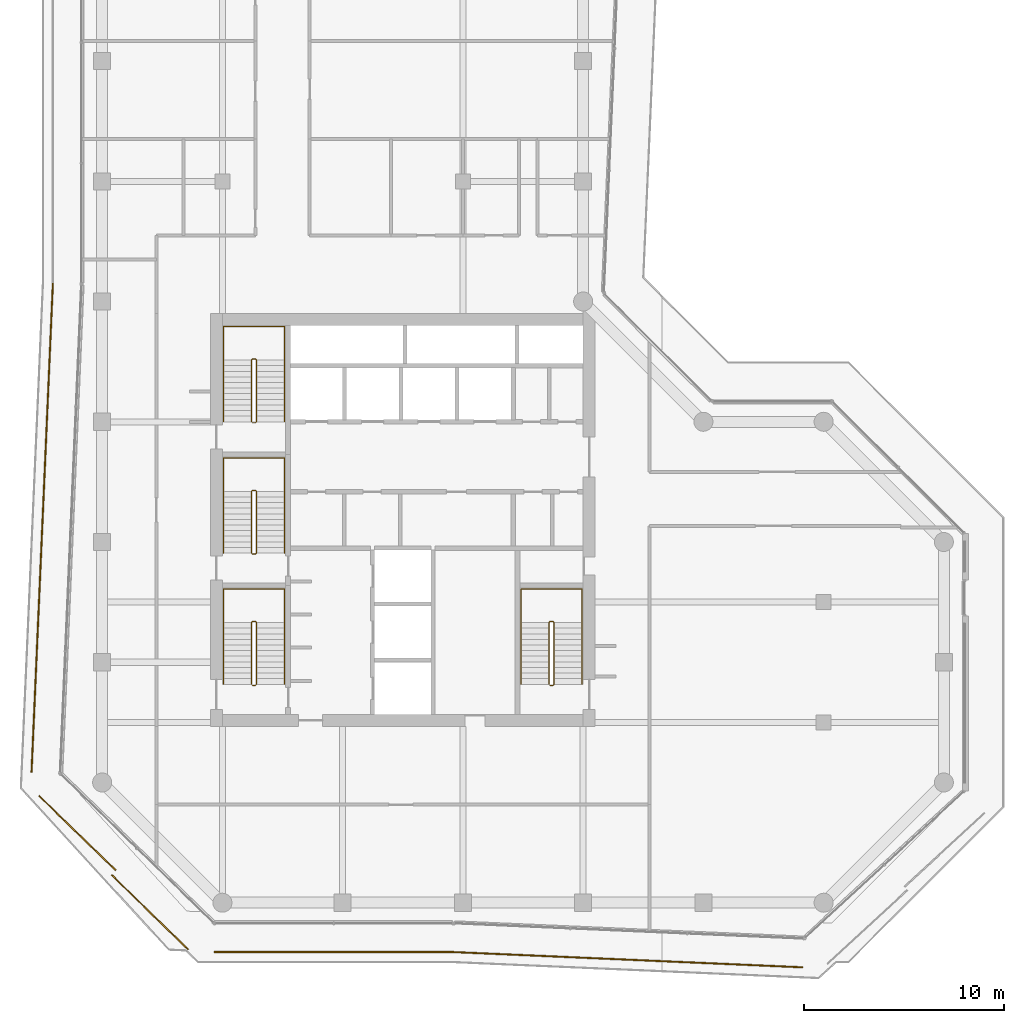
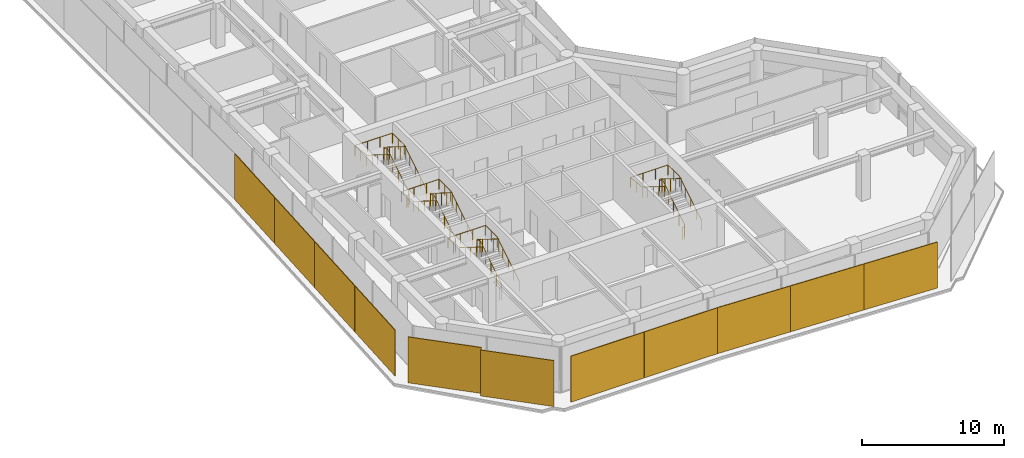
# One storey, part 20 of 21: 11 coverings, 8 railings.
"""IFC4 building model written with IfcOpenShell, lengths in metres."""

from ifc_helpers import new_model, si_unit, direction, frame, origin, origin_2d, place, context, subcontext, project, spatial, rectangle, circle, extrude, material, layer, layer_set, type_object, element, save


model = new_model("IFC4")

# Units and contexts
model_context = context("Model", 3, precision=1e-05, world=origin(), true_north=direction((0.0, 1.0)))
body_context = subcontext(model_context, "Body", "Model", "MODEL_VIEW")
ifc_project = project(units=[si_unit("LENGTHUNIT", "METRE"), si_unit("AREAUNIT", "SQUARE_METRE"), si_unit("VOLUMEUNIT", "CUBIC_METRE"), si_unit("PLANEANGLEUNIT", "RADIAN"), si_unit("MASSUNIT", "GRAM", prefix="KILO")], contexts=[model_context])

# Site, building, storey
site_placement = place(None, origin())
site = spatial("IfcSite", under=ifc_project, at=site_placement, CompositionType="ELEMENT")
building_placement = place(site_placement, origin())
building = spatial("IfcBuilding", under=site, at=building_placement, Name="Welwitschia Terrace Campus", CompositionType="ELEMENT")
storey_placement = place(building_placement, frame((0.0, 0.0, 159.199951171875)))
storey = spatial("IfcBuildingStorey", under=building, at=storey_placement, Name="L35", CompositionType="ELEMENT", Elevation=159.199951171875)

# Coverings
ifc_material_1 = material(Name="Bronze mesh aluminium screen", Category="aluminium")
ifc_layer = layer(ifc_material_1, 0.06005859375)
ifc_layer_set = layer_set([ifc_layer], Name="Bronze mesh aluminium screen")
covering_type = type_object("IfcCoveringType", Name="Bronze screen 60", PredefinedType="USERDEFINED", material=ifc_layer_set)
for number, where, z_axis, x_axis, name in (
    (1, (-2.592041015625, 23.87744140625, 0.0), (0.0, 0.0, 1.0), (-0.043619387365, -0.999048221582, 0.0), "Screen L35.0.0"),
    (2, (-2.858642578125, 17.769287109375, 0.0), (0.0, 0.0, 1.0), (-0.043619387365, -0.999048221582, 0.0), "Screen L35.0.1"),
    (3, (-3.12548828125, 11.6611328125, 0.0), (0.0, 0.0, 1.0), (-0.043619387365, -0.999048221582, 0.0), "Screen L35.0.2"),
    (4, (-3.39208984375, 5.552978515625, 0.0), (0.0, 0.0, 1.0), (-0.043619387365, -0.999048221582, 0.0), "Screen L35.0.3"),
):
    element("IfcCovering", number, at=place(storey_placement, frame(where, z_axis=z_axis, x_axis=x_axis)), inside=storey, type_object=covering_type, Name=name, ObjectType="SCREEN", PredefinedType="USERDEFINED", context=body_context, shape_type="SweptSolid", body=[
        extrude(rectangle(XDim=6.093994140625, YDim=0.06005859375, at=origin_2d()), origin(), (0.0, 0.0, 1.0), 3.949951171875),
    ])
for number, where, z_axis, x_axis, name in (
    (5, (-1.2412109375, -0.521240234375, 0.0), (0.0, 0.0, 1.0), (0.716555959445, -0.697529610112, 0.0), "Screen L35.1.0"),
    (6, (2.380615234375, -4.473388671875, 0.0), (0.0, 0.0, 1.0), (0.716555959445, -0.697529610112, 0.0), "Screen L35.1.1"),
):
    element("IfcCovering", number, at=place(storey_placement, frame(where, z_axis=z_axis, x_axis=x_axis)), inside=storey, type_object=covering_type, Name=name, ObjectType="SCREEN", PredefinedType="USERDEFINED", context=body_context, shape_type="SweptSolid", body=[
        extrude(rectangle(XDim=5.33203125, YDim=0.06005859375, at=origin_2d()), origin(), (0.0, 0.0, 1.0), 3.949951171875),
    ])
for number, where, z_axis, x_axis, name in (
    (7, (8.561767578125, -6.4599609375, 0.0), (0.0, 0.0, 1.0), (1.0, 0.0, 0.0), "Screen L35.2.0"),
    (8, (14.538818359375, -6.4599609375, 0.0), (0.0, 0.0, 1.0), (1.0, 0.0, 0.0), "Screen L35.2.1"),
):
    element("IfcCovering", number, at=place(storey_placement, frame(where, z_axis=z_axis, x_axis=x_axis)), inside=storey, type_object=covering_type, Name=name, ObjectType="SCREEN", PredefinedType="USERDEFINED", context=body_context, shape_type="SweptSolid", body=[
        extrude(rectangle(XDim=5.956787109375, YDim=0.06005859375, at=origin_2d()), origin(), (0.0, 0.0, 1.0), 3.949951171875),
    ])
for number, where, z_axis, x_axis, name in (
    (9, (20.383056640625, -6.5859375, 0.0), (0.0, 0.0, 1.0), (0.999048221582, -0.043619387365, 0.0), "Screen L35.3.0"),
    (10, (26.21923828125, -6.8408203125, 0.0), (0.0, 0.0, 1.0), (0.999048221582, -0.043619387365, 0.0), "Screen L35.3.1"),
    (11, (32.0556640625, -7.095703125, 0.0), (0.0, 0.0, 1.0), (0.999048221582, -0.043619387365, 0.0), "Screen L35.3.2"),
):
    element("IfcCovering", number, at=place(storey_placement, frame(where, z_axis=z_axis, x_axis=x_axis)), inside=storey, type_object=covering_type, Name=name, ObjectType="SCREEN", PredefinedType="USERDEFINED", context=body_context, shape_type="SweptSolid", body=[
        extrude(rectangle(XDim=5.822021484375, YDim=0.06005859375, at=origin_2d()), origin(), (0.0, 0.0, 1.0), 3.949951171875),
    ])

# Railings
ifc_material_2 = material(Name="Steel S355", Category="steel")
railing_type_1 = type_object("IfcRailingType", Name="Stair guard 1100", PredefinedType="GUARDRAIL", material=ifc_material_2)
railing_1_placement = place(storey_placement, frame((7.5, 6.85009765625, 0.0)))
element("IfcRailing", 12, at=railing_1_placement, inside=storey, type_object=railing_type_1, Name="L35 S1 stair guard", PredefinedType="GUARDRAIL", context=body_context, shape_type="SweptSolid", body=[
    extrude(circle(Radius=0.02392578125, at=origin_2d()), frame((0.0, 0.0, 1.076171875), z_axis=(1.0, 0.0, 0.0), x_axis=(0.0, 1.0, 0.0)), (0.0, 0.0, 1.0), 0.14990234375),
    extrude(circle(Radius=0.02392578125, at=origin_2d()), frame((0.14990234375, 0.0, 1.076171875), z_axis=(0.265155923931, 0.263862480399, 0.927399011991), x_axis=(-0.705375805398, 0.708833529934, 0.0)), (0.0, 0.0, 1.0), 0.188720703125),
    extrude(circle(Radius=0.02392578125, at=origin_2d()), frame((0.199951171875, 0.0498046875, 1.2509765625), z_axis=(0.0, 0.847998304005, 0.529998940003), x_axis=(-1.0, 0.0, 0.0)), (0.0, 0.0, 1.0), 3.632080078125),
    extrude(circle(Radius=0.02392578125, at=origin_2d()), frame((0.199951171875, 3.1298828125, 3.17626953125), z_axis=(-0.707106781187, 0.707106781187, 0.0), x_axis=(-0.707106781187, -0.707106781187, 0.0)), (0.0, 0.0, 1.0), 0.07080078125),
    extrude(circle(Radius=0.02392578125, at=origin_2d()), frame((0.14990234375, 3.179931640625, 3.17626953125), z_axis=(-1.0, 0.0, 0.0), x_axis=(0.0, -1.0, 0.0)), (0.0, 0.0, 1.0), 0.14990234375),
    extrude(circle(Radius=0.02392578125, at=origin_2d()), frame((0.0, 3.179931640625, 3.17626953125), z_axis=(-0.265065253269, -0.265065253269, 0.927081885822), x_axis=(0.707106781187, -0.707106781187, 0.0)), (0.0, 0.0, 1.0), 0.188720703125),
    extrude(circle(Radius=0.02392578125, at=origin_2d()), frame((-0.050048828125, 3.1298828125, 3.35107421875), z_axis=(0.0, -0.848028513186, 0.529950602248), x_axis=(1.0, 0.0, 0.0)), (0.0, 0.0, 1.0), 3.632080078125),
    extrude(circle(Radius=0.02099609375, at=origin_2d()), origin(), (0.0, 0.0, 1.0), 1.052001953125),
    extrude(circle(Radius=0.02099609375, at=origin_2d()), frame((0.14990234375, 0.0, 0.0)), (0.0, 0.0, 1.0), 1.052001953125),
    extrude(circle(Radius=0.02099609375, at=origin_2d()), frame((0.199951171875, 0.0498046875, 0.175048828125)), (0.0, 0.0, 1.0), 1.052001953125),
    extrude(circle(Radius=0.02099609375, at=origin_2d()), frame((0.199951171875, 0.81982421875, 0.65625)), (0.0, 0.0, 1.0), 1.052001953125),
    extrude(circle(Radius=0.02099609375, at=origin_2d()), frame((0.199951171875, 1.58984375, 1.1376953125)), (0.0, 0.0, 1.0), 1.052001953125),
    extrude(circle(Radius=0.02099609375, at=origin_2d()), frame((0.199951171875, 2.35986328125, 1.618896484375)), (0.0, 0.0, 1.0), 1.052001953125),
    extrude(circle(Radius=0.02099609375, at=origin_2d()), frame((0.199951171875, 3.1298828125, 2.10009765625)), (0.0, 0.0, 1.0), 1.052001953125),
    extrude(circle(Radius=0.02099609375, at=origin_2d()), frame((0.14990234375, 3.179931640625, 2.10009765625)), (0.0, 0.0, 1.0), 1.052001953125),
    extrude(circle(Radius=0.02099609375, at=origin_2d()), frame((0.0, 3.179931640625, 2.10009765625)), (0.0, 0.0, 1.0), 1.052001953125),
    extrude(circle(Radius=0.02099609375, at=origin_2d()), frame((-0.050048828125, 3.1298828125, 2.275146484375)), (0.0, 0.0, 1.0), 1.052001953125),
    extrude(circle(Radius=0.02099609375, at=origin_2d()), frame((-0.050048828125, 2.35986328125, 2.75634765625)), (0.0, 0.0, 1.0), 1.052001953125),
    extrude(circle(Radius=0.02099609375, at=origin_2d()), frame((-0.050048828125, 1.58984375, 3.237548828125)), (0.0, 0.0, 1.0), 1.052001953125),
    extrude(circle(Radius=0.02099609375, at=origin_2d()), frame((-0.050048828125, 0.81982421875, 3.71875)), (0.0, 0.0, 1.0), 1.052001953125),
    extrude(circle(Radius=0.02099609375, at=origin_2d()), frame((-0.050048828125, 0.0498046875, 4.199951171875)), (0.0, 0.0, 1.0), 1.052001953125),
])
railing_2_placement = place(storey_placement, frame((7.5, 13.39990234375, 0.0)))
element("IfcRailing", 13, at=railing_2_placement, inside=storey, type_object=railing_type_1, Name="L35 S3 stair guard", PredefinedType="GUARDRAIL", context=body_context, shape_type="SweptSolid", body=[
    extrude(circle(Radius=0.02392578125, at=origin_2d()), frame((0.0, 0.0, 1.076171875), z_axis=(1.0, 0.0, 0.0), x_axis=(0.0, 1.0, 0.0)), (0.0, 0.0, 1.0), 0.14990234375),
    extrude(circle(Radius=0.02392578125, at=origin_2d()), frame((0.14990234375, 0.0, 1.076171875), z_axis=(0.265065253269, 0.265065253269, 0.927081885822), x_axis=(-0.707106781187, 0.707106781187, 0.0)), (0.0, 0.0, 1.0), 0.188720703125),
    extrude(circle(Radius=0.02392578125, at=origin_2d()), frame((0.199951171875, 0.050048828125, 1.2509765625), z_axis=(0.0, 0.847998304005, 0.529998940003), x_axis=(-1.0, 0.0, 0.0)), (0.0, 0.0, 1.0), 3.632080078125),
    extrude(circle(Radius=0.02392578125, at=origin_2d()), frame((0.199951171875, 3.130126953125, 3.17626953125), z_axis=(-0.707106781187, 0.707106781187, 0.0), x_axis=(-0.707106781187, -0.707106781187, 0.0)), (0.0, 0.0, 1.0), 0.07080078125),
    extrude(circle(Radius=0.02392578125, at=origin_2d()), frame((0.14990234375, 3.18017578125, 3.17626953125), z_axis=(-1.0, 0.0, 0.0), x_axis=(0.0, -1.0, 0.0)), (0.0, 0.0, 1.0), 0.14990234375),
    extrude(circle(Radius=0.02392578125, at=origin_2d()), frame((0.0, 3.18017578125, 3.17626953125), z_axis=(-0.265065253269, -0.265065253269, 0.927081885822), x_axis=(0.707106781187, -0.707106781187, 0.0)), (0.0, 0.0, 1.0), 0.188720703125),
    extrude(circle(Radius=0.02392578125, at=origin_2d()), frame((-0.050048828125, 3.130126953125, 3.35107421875), z_axis=(0.0, -0.848028513186, 0.529950602248), x_axis=(1.0, 0.0, 0.0)), (0.0, 0.0, 1.0), 3.632080078125),
    extrude(circle(Radius=0.02099609375, at=origin_2d()), origin(), (0.0, 0.0, 1.0), 1.052001953125),
    extrude(circle(Radius=0.02099609375, at=origin_2d()), frame((0.14990234375, 0.0, 0.0)), (0.0, 0.0, 1.0), 1.052001953125),
    extrude(circle(Radius=0.02099609375, at=origin_2d()), frame((0.199951171875, 0.050048828125, 0.175048828125)), (0.0, 0.0, 1.0), 1.052001953125),
    extrude(circle(Radius=0.02099609375, at=origin_2d()), frame((0.199951171875, 0.820068359375, 0.65625)), (0.0, 0.0, 1.0), 1.052001953125),
    extrude(circle(Radius=0.02099609375, at=origin_2d()), frame((0.199951171875, 1.590087890625, 1.1376953125)), (0.0, 0.0, 1.0), 1.052001953125),
    extrude(circle(Radius=0.02099609375, at=origin_2d()), frame((0.199951171875, 2.360107421875, 1.618896484375)), (0.0, 0.0, 1.0), 1.052001953125),
    extrude(circle(Radius=0.02099609375, at=origin_2d()), frame((0.199951171875, 3.130126953125, 2.10009765625)), (0.0, 0.0, 1.0), 1.052001953125),
    extrude(circle(Radius=0.02099609375, at=origin_2d()), frame((0.14990234375, 3.18017578125, 2.10009765625)), (0.0, 0.0, 1.0), 1.052001953125),
    extrude(circle(Radius=0.02099609375, at=origin_2d()), frame((0.0, 3.18017578125, 2.10009765625)), (0.0, 0.0, 1.0), 1.052001953125),
    extrude(circle(Radius=0.02099609375, at=origin_2d()), frame((-0.050048828125, 3.130126953125, 2.275146484375)), (0.0, 0.0, 1.0), 1.052001953125),
    extrude(circle(Radius=0.02099609375, at=origin_2d()), frame((-0.050048828125, 2.360107421875, 2.75634765625)), (0.0, 0.0, 1.0), 1.052001953125),
    extrude(circle(Radius=0.02099609375, at=origin_2d()), frame((-0.050048828125, 1.590087890625, 3.237548828125)), (0.0, 0.0, 1.0), 1.052001953125),
    extrude(circle(Radius=0.02099609375, at=origin_2d()), frame((-0.050048828125, 0.820068359375, 3.71875)), (0.0, 0.0, 1.0), 1.052001953125),
    extrude(circle(Radius=0.02099609375, at=origin_2d()), frame((-0.050048828125, 0.050048828125, 4.199951171875)), (0.0, 0.0, 1.0), 1.052001953125),
])
railing_3_placement = place(storey_placement, frame((7.5, 19.949951171875, 0.0)))
element("IfcRailing", 14, at=railing_3_placement, inside=storey, type_object=railing_type_1, Name="L35 S4 stair guard", PredefinedType="GUARDRAIL", context=body_context, shape_type="SweptSolid", body=[
    extrude(circle(Radius=0.02392578125, at=origin_2d()), frame((0.0, 0.0, 1.076171875), z_axis=(1.0, 0.0, 0.0), x_axis=(0.0, 1.0, 0.0)), (0.0, 0.0, 1.0), 0.14990234375),
    extrude(circle(Radius=0.02392578125, at=origin_2d()), frame((0.14990234375, 0.0, 1.076171875), z_axis=(0.265065253269, 0.265065253269, 0.927081885822), x_axis=(-0.707106781187, 0.707106781187, 0.0)), (0.0, 0.0, 1.0), 0.188720703125),
    extrude(circle(Radius=0.02392578125, at=origin_2d()), frame((0.199951171875, 0.050048828125, 1.2509765625), z_axis=(0.0, 0.847998304005, 0.529998940003), x_axis=(-1.0, 0.0, 0.0)), (0.0, 0.0, 1.0), 3.632080078125),
    extrude(circle(Radius=0.02392578125, at=origin_2d()), frame((0.199951171875, 3.130126953125, 3.17626953125), z_axis=(-0.708833529934, 0.705375805398, 0.0), x_axis=(-0.705375805398, -0.708833529934, 0.0)), (0.0, 0.0, 1.0), 0.070556640625),
    extrude(circle(Radius=0.02392578125, at=origin_2d()), frame((0.14990234375, 3.179931640625, 3.17626953125), z_axis=(-1.0, 0.0, 0.0), x_axis=(0.0, -1.0, 0.0)), (0.0, 0.0, 1.0), 0.14990234375),
    extrude(circle(Radius=0.02392578125, at=origin_2d()), frame((0.0, 3.179931640625, 3.17626953125), z_axis=(-0.265155923931, -0.263862480399, 0.927399011991), x_axis=(0.705375805398, -0.708833529934, 0.0)), (0.0, 0.0, 1.0), 0.188720703125),
    extrude(circle(Radius=0.02392578125, at=origin_2d()), frame((-0.050048828125, 3.130126953125, 3.35107421875), z_axis=(0.0, -0.848028513186, 0.529950602248), x_axis=(1.0, 0.0, 0.0)), (0.0, 0.0, 1.0), 3.632080078125),
    extrude(circle(Radius=0.02099609375, at=origin_2d()), origin(), (0.0, 0.0, 1.0), 1.052001953125),
    extrude(circle(Radius=0.02099609375, at=origin_2d()), frame((0.14990234375, 0.0, 0.0)), (0.0, 0.0, 1.0), 1.052001953125),
    extrude(circle(Radius=0.02099609375, at=origin_2d()), frame((0.199951171875, 0.050048828125, 0.175048828125)), (0.0, 0.0, 1.0), 1.052001953125),
    extrude(circle(Radius=0.02099609375, at=origin_2d()), frame((0.199951171875, 0.820068359375, 0.65625)), (0.0, 0.0, 1.0), 1.052001953125),
    extrude(circle(Radius=0.02099609375, at=origin_2d()), frame((0.199951171875, 1.590087890625, 1.1376953125)), (0.0, 0.0, 1.0), 1.052001953125),
    extrude(circle(Radius=0.02099609375, at=origin_2d()), frame((0.199951171875, 2.360107421875, 1.618896484375)), (0.0, 0.0, 1.0), 1.052001953125),
    extrude(circle(Radius=0.02099609375, at=origin_2d()), frame((0.199951171875, 3.130126953125, 2.10009765625)), (0.0, 0.0, 1.0), 1.052001953125),
    extrude(circle(Radius=0.02099609375, at=origin_2d()), frame((0.14990234375, 3.179931640625, 2.10009765625)), (0.0, 0.0, 1.0), 1.052001953125),
    extrude(circle(Radius=0.02099609375, at=origin_2d()), frame((0.0, 3.179931640625, 2.10009765625)), (0.0, 0.0, 1.0), 1.052001953125),
    extrude(circle(Radius=0.02099609375, at=origin_2d()), frame((-0.050048828125, 3.130126953125, 2.275146484375)), (0.0, 0.0, 1.0), 1.052001953125),
    extrude(circle(Radius=0.02099609375, at=origin_2d()), frame((-0.050048828125, 2.360107421875, 2.75634765625)), (0.0, 0.0, 1.0), 1.052001953125),
    extrude(circle(Radius=0.02099609375, at=origin_2d()), frame((-0.050048828125, 1.590087890625, 3.237548828125)), (0.0, 0.0, 1.0), 1.052001953125),
    extrude(circle(Radius=0.02099609375, at=origin_2d()), frame((-0.050048828125, 0.820068359375, 3.71875)), (0.0, 0.0, 1.0), 1.052001953125),
    extrude(circle(Radius=0.02099609375, at=origin_2d()), frame((-0.050048828125, 0.050048828125, 4.199951171875)), (0.0, 0.0, 1.0), 1.052001953125),
])
railing_4_placement = place(storey_placement, frame((22.35009765625, 6.85009765625, 0.0)))
element("IfcRailing", 15, at=railing_4_placement, inside=storey, type_object=railing_type_1, Name="L35 S2 stair guard", PredefinedType="GUARDRAIL", context=body_context, shape_type="SweptSolid", body=[
    extrude(circle(Radius=0.02392578125, at=origin_2d()), frame((0.0, 0.0, 1.076171875), z_axis=(1.0, 0.0, 0.0), x_axis=(0.0, 1.0, 0.0)), (0.0, 0.0, 1.0), 0.14990234375),
    extrude(circle(Radius=0.02392578125, at=origin_2d()), frame((0.14990234375, 0.0, 1.076171875), z_axis=(0.265155923931, 0.263862480399, 0.927399011991), x_axis=(-0.705375805398, 0.708833529934, 0.0)), (0.0, 0.0, 1.0), 0.188720703125),
    extrude(circle(Radius=0.02392578125, at=origin_2d()), frame((0.199951171875, 0.0498046875, 1.2509765625), z_axis=(0.0, 0.847998304005, 0.529998940003), x_axis=(-1.0, 0.0, 0.0)), (0.0, 0.0, 1.0), 3.632080078125),
    extrude(circle(Radius=0.02392578125, at=origin_2d()), frame((0.199951171875, 3.1298828125, 3.17626953125), z_axis=(-0.707106781187, 0.707106781187, 0.0), x_axis=(-0.707106781187, -0.707106781187, 0.0)), (0.0, 0.0, 1.0), 0.07080078125),
    extrude(circle(Radius=0.02392578125, at=origin_2d()), frame((0.14990234375, 3.179931640625, 3.17626953125), z_axis=(-1.0, 0.0, 0.0), x_axis=(0.0, -1.0, 0.0)), (0.0, 0.0, 1.0), 0.14990234375),
    extrude(circle(Radius=0.02392578125, at=origin_2d()), frame((0.0, 3.179931640625, 3.17626953125), z_axis=(-0.265065253269, -0.265065253269, 0.927081885822), x_axis=(0.707106781187, -0.707106781187, 0.0)), (0.0, 0.0, 1.0), 0.188720703125),
    extrude(circle(Radius=0.02392578125, at=origin_2d()), frame((-0.050048828125, 3.1298828125, 3.35107421875), z_axis=(0.0, -0.848028513186, 0.529950602248), x_axis=(1.0, 0.0, 0.0)), (0.0, 0.0, 1.0), 3.632080078125),
    extrude(circle(Radius=0.02099609375, at=origin_2d()), origin(), (0.0, 0.0, 1.0), 1.052001953125),
    extrude(circle(Radius=0.02099609375, at=origin_2d()), frame((0.14990234375, 0.0, 0.0)), (0.0, 0.0, 1.0), 1.052001953125),
    extrude(circle(Radius=0.02099609375, at=origin_2d()), frame((0.199951171875, 0.0498046875, 0.175048828125)), (0.0, 0.0, 1.0), 1.052001953125),
    extrude(circle(Radius=0.02099609375, at=origin_2d()), frame((0.199951171875, 0.81982421875, 0.65625)), (0.0, 0.0, 1.0), 1.052001953125),
    extrude(circle(Radius=0.02099609375, at=origin_2d()), frame((0.199951171875, 1.58984375, 1.1376953125)), (0.0, 0.0, 1.0), 1.052001953125),
    extrude(circle(Radius=0.02099609375, at=origin_2d()), frame((0.199951171875, 2.35986328125, 1.618896484375)), (0.0, 0.0, 1.0), 1.052001953125),
    extrude(circle(Radius=0.02099609375, at=origin_2d()), frame((0.199951171875, 3.1298828125, 2.10009765625)), (0.0, 0.0, 1.0), 1.052001953125),
    extrude(circle(Radius=0.02099609375, at=origin_2d()), frame((0.14990234375, 3.179931640625, 2.10009765625)), (0.0, 0.0, 1.0), 1.052001953125),
    extrude(circle(Radius=0.02099609375, at=origin_2d()), frame((0.0, 3.179931640625, 2.10009765625)), (0.0, 0.0, 1.0), 1.052001953125),
    extrude(circle(Radius=0.02099609375, at=origin_2d()), frame((-0.050048828125, 3.1298828125, 2.275146484375)), (0.0, 0.0, 1.0), 1.052001953125),
    extrude(circle(Radius=0.02099609375, at=origin_2d()), frame((-0.050048828125, 2.35986328125, 2.75634765625)), (0.0, 0.0, 1.0), 1.052001953125),
    extrude(circle(Radius=0.02099609375, at=origin_2d()), frame((-0.050048828125, 1.58984375, 3.237548828125)), (0.0, 0.0, 1.0), 1.052001953125),
    extrude(circle(Radius=0.02099609375, at=origin_2d()), frame((-0.050048828125, 0.81982421875, 3.71875)), (0.0, 0.0, 1.0), 1.052001953125),
    extrude(circle(Radius=0.02099609375, at=origin_2d()), frame((-0.050048828125, 0.0498046875, 4.199951171875)), (0.0, 0.0, 1.0), 1.052001953125),
])
ifc_material_3 = material(Name="Steel S355", Category="steel")
railing_type_2 = type_object("IfcRailingType", Name="Stair handrail 900", PredefinedType="HANDRAIL", material=ifc_material_3)
railing_5_placement = place(storey_placement, frame((9.10009765625, 6.89990234375, 0.175048828125)))
element("IfcRailing", 16, at=railing_5_placement, inside=storey, type_object=railing_type_2, Name="L35 S1 stair handrail", PredefinedType="HANDRAIL", context=body_context, shape_type="SweptSolid", body=[
    extrude(circle(Radius=0.02392578125, at=origin_2d()), frame((0.0, 0.0, 0.8759765625), z_axis=(0.0, 0.847998304005, 0.529998940003), x_axis=(-1.0, 0.0, 0.0)), (0.0, 0.0, 1.0), 3.632080078125),
    extrude(circle(Radius=0.02392578125, at=origin_2d()), frame((0.0, 3.080078125, 2.80078125), z_axis=(0.0, 1.0, 0.0), x_axis=(-1.0, 0.0, 0.0)), (0.0, 0.0, 1.0), 1.669921875),
    extrude(circle(Radius=0.02392578125, at=origin_2d()), frame((0.0, 4.75, 2.80078125), z_axis=(-1.0, 0.0, 0.0), x_axis=(0.0, -1.0, 0.0)), (0.0, 0.0, 1.0), 3.050048828125),
    extrude(circle(Radius=0.02392578125, at=origin_2d()), frame((-3.050048828125, 4.75, 2.80078125), z_axis=(0.0, -0.99455077262, 0.104253348533), x_axis=(1.0, 0.0, 0.0)), (0.0, 0.0, 1.0), 1.678955078125),
    extrude(circle(Radius=0.02392578125, at=origin_2d()), frame((-3.050048828125, 3.080078125, 2.97607421875), z_axis=(0.0, -0.848028513186, 0.529950602248), x_axis=(1.0, 0.0, 0.0)), (0.0, 0.0, 1.0), 3.632080078125),
    extrude(circle(Radius=0.02099609375, at=origin_2d()), origin(), (0.0, 0.0, 1.0), 0.851806640625),
    extrude(circle(Radius=0.02099609375, at=origin_2d()), frame((0.0, 0.77001953125, 0.481201171875)), (0.0, 0.0, 1.0), 0.851806640625),
    extrude(circle(Radius=0.02099609375, at=origin_2d()), frame((0.0, 1.5400390625, 0.96240234375)), (0.0, 0.0, 1.0), 0.851806640625),
    extrude(circle(Radius=0.02099609375, at=origin_2d()), frame((0.0, 2.31005859375, 1.44384765625)), (0.0, 0.0, 1.0), 0.851806640625),
    extrude(circle(Radius=0.02099609375, at=origin_2d()), frame((0.0, 3.080078125, 1.925048828125)), (0.0, 0.0, 1.0), 0.851806640625),
    extrude(circle(Radius=0.02099609375, at=origin_2d()), frame((0.0, 3.9150390625, 1.925048828125)), (0.0, 0.0, 1.0), 0.851806640625),
    extrude(circle(Radius=0.02099609375, at=origin_2d()), frame((0.0, 4.75, 1.925048828125)), (0.0, 0.0, 1.0), 0.851806640625),
    extrude(circle(Radius=0.02099609375, at=origin_2d()), frame((-1.0166015625, 4.75, 1.925048828125)), (0.0, 0.0, 1.0), 0.851806640625),
    extrude(circle(Radius=0.02099609375, at=origin_2d()), frame((-2.033447265625, 4.75, 1.925048828125)), (0.0, 0.0, 1.0), 0.851806640625),
    extrude(circle(Radius=0.02099609375, at=origin_2d()), frame((-3.050048828125, 4.75, 1.925048828125)), (0.0, 0.0, 1.0), 0.851806640625),
    extrude(circle(Radius=0.02099609375, at=origin_2d()), frame((-3.050048828125, 3.9150390625, 2.0126953125)), (0.0, 0.0, 1.0), 0.851806640625),
    extrude(circle(Radius=0.02099609375, at=origin_2d()), frame((-3.050048828125, 3.080078125, 2.10009765625)), (0.0, 0.0, 1.0), 0.851806640625),
    extrude(circle(Radius=0.02099609375, at=origin_2d()), frame((-3.050048828125, 2.31005859375, 2.581298828125)), (0.0, 0.0, 1.0), 0.851806640625),
    extrude(circle(Radius=0.02099609375, at=origin_2d()), frame((-3.050048828125, 1.5400390625, 3.0625)), (0.0, 0.0, 1.0), 0.851806640625),
    extrude(circle(Radius=0.02099609375, at=origin_2d()), frame((-3.050048828125, 0.77001953125, 3.543701171875)), (0.0, 0.0, 1.0), 0.851806640625),
    extrude(circle(Radius=0.02099609375, at=origin_2d()), frame((-3.050048828125, 0.0, 4.02490234375)), (0.0, 0.0, 1.0), 0.851806640625),
])
railing_6_placement = place(storey_placement, frame((9.10009765625, 13.449951171875, 0.175048828125)))
element("IfcRailing", 17, at=railing_6_placement, inside=storey, type_object=railing_type_2, Name="L35 S3 stair handrail", PredefinedType="HANDRAIL", context=body_context, shape_type="SweptSolid", body=[
    extrude(circle(Radius=0.02392578125, at=origin_2d()), frame((0.0, 0.0, 0.8759765625), z_axis=(0.0, 0.847998304005, 0.529998940003), x_axis=(-1.0, 0.0, 0.0)), (0.0, 0.0, 1.0), 3.632080078125),
    extrude(circle(Radius=0.02392578125, at=origin_2d()), frame((0.0, 3.080078125, 2.80078125), z_axis=(0.0, 1.0, 0.0), x_axis=(-1.0, 0.0, 0.0)), (0.0, 0.0, 1.0), 1.669921875),
    extrude(circle(Radius=0.02392578125, at=origin_2d()), frame((0.0, 4.75, 2.80078125), z_axis=(-1.0, 0.0, 0.0), x_axis=(0.0, -1.0, 0.0)), (0.0, 0.0, 1.0), 3.050048828125),
    extrude(circle(Radius=0.02392578125, at=origin_2d()), frame((-3.050048828125, 4.75, 2.80078125), z_axis=(0.0, -0.99455077262, 0.104253348533), x_axis=(1.0, 0.0, 0.0)), (0.0, 0.0, 1.0), 1.678955078125),
    extrude(circle(Radius=0.02392578125, at=origin_2d()), frame((-3.050048828125, 3.080078125, 2.97607421875), z_axis=(0.0, -0.848028513186, 0.529950602248), x_axis=(1.0, 0.0, 0.0)), (0.0, 0.0, 1.0), 3.632080078125),
    extrude(circle(Radius=0.02099609375, at=origin_2d()), origin(), (0.0, 0.0, 1.0), 0.851806640625),
    extrude(circle(Radius=0.02099609375, at=origin_2d()), frame((0.0, 0.77001953125, 0.481201171875)), (0.0, 0.0, 1.0), 0.851806640625),
    extrude(circle(Radius=0.02099609375, at=origin_2d()), frame((0.0, 1.5400390625, 0.96240234375)), (0.0, 0.0, 1.0), 0.851806640625),
    extrude(circle(Radius=0.02099609375, at=origin_2d()), frame((0.0, 2.31005859375, 1.44384765625)), (0.0, 0.0, 1.0), 0.851806640625),
    extrude(circle(Radius=0.02099609375, at=origin_2d()), frame((0.0, 3.080078125, 1.925048828125)), (0.0, 0.0, 1.0), 0.851806640625),
    extrude(circle(Radius=0.02099609375, at=origin_2d()), frame((0.0, 3.9150390625, 1.925048828125)), (0.0, 0.0, 1.0), 0.851806640625),
    extrude(circle(Radius=0.02099609375, at=origin_2d()), frame((0.0, 4.75, 1.925048828125)), (0.0, 0.0, 1.0), 0.851806640625),
    extrude(circle(Radius=0.02099609375, at=origin_2d()), frame((-1.0166015625, 4.75, 1.925048828125)), (0.0, 0.0, 1.0), 0.851806640625),
    extrude(circle(Radius=0.02099609375, at=origin_2d()), frame((-2.033447265625, 4.75, 1.925048828125)), (0.0, 0.0, 1.0), 0.851806640625),
    extrude(circle(Radius=0.02099609375, at=origin_2d()), frame((-3.050048828125, 4.75, 1.925048828125)), (0.0, 0.0, 1.0), 0.851806640625),
    extrude(circle(Radius=0.02099609375, at=origin_2d()), frame((-3.050048828125, 3.9150390625, 2.0126953125)), (0.0, 0.0, 1.0), 0.851806640625),
    extrude(circle(Radius=0.02099609375, at=origin_2d()), frame((-3.050048828125, 3.080078125, 2.10009765625)), (0.0, 0.0, 1.0), 0.851806640625),
    extrude(circle(Radius=0.02099609375, at=origin_2d()), frame((-3.050048828125, 2.31005859375, 2.581298828125)), (0.0, 0.0, 1.0), 0.851806640625),
    extrude(circle(Radius=0.02099609375, at=origin_2d()), frame((-3.050048828125, 1.5400390625, 3.0625)), (0.0, 0.0, 1.0), 0.851806640625),
    extrude(circle(Radius=0.02099609375, at=origin_2d()), frame((-3.050048828125, 0.77001953125, 3.543701171875)), (0.0, 0.0, 1.0), 0.851806640625),
    extrude(circle(Radius=0.02099609375, at=origin_2d()), frame((-3.050048828125, 0.0, 4.02490234375)), (0.0, 0.0, 1.0), 0.851806640625),
])
railing_7_placement = place(storey_placement, frame((9.10009765625, 20.0, 0.175048828125)))
element("IfcRailing", 18, at=railing_7_placement, inside=storey, type_object=railing_type_2, Name="L35 S4 stair handrail", PredefinedType="HANDRAIL", context=body_context, shape_type="SweptSolid", body=[
    extrude(circle(Radius=0.02392578125, at=origin_2d()), frame((0.0, 0.0, 0.8759765625), z_axis=(0.0, 0.847998304005, 0.529998940003), x_axis=(-1.0, 0.0, 0.0)), (0.0, 0.0, 1.0), 3.632080078125),
    extrude(circle(Radius=0.02392578125, at=origin_2d()), frame((0.0, 3.080078125, 2.80078125), z_axis=(0.0, 1.0, 0.0), x_axis=(-1.0, 0.0, 0.0)), (0.0, 0.0, 1.0), 1.669921875),
    extrude(circle(Radius=0.02392578125, at=origin_2d()), frame((0.0, 4.75, 2.80078125), z_axis=(-1.0, 0.0, 0.0), x_axis=(0.0, -1.0, 0.0)), (0.0, 0.0, 1.0), 3.050048828125),
    extrude(circle(Radius=0.02392578125, at=origin_2d()), frame((-3.050048828125, 4.75, 2.80078125), z_axis=(0.0, -0.99455077262, 0.104253348533), x_axis=(1.0, 0.0, 0.0)), (0.0, 0.0, 1.0), 1.678955078125),
    extrude(circle(Radius=0.02392578125, at=origin_2d()), frame((-3.050048828125, 3.080078125, 2.97607421875), z_axis=(0.0, -0.848028513186, 0.529950602248), x_axis=(1.0, 0.0, 0.0)), (0.0, 0.0, 1.0), 3.632080078125),
    extrude(circle(Radius=0.02099609375, at=origin_2d()), origin(), (0.0, 0.0, 1.0), 0.851806640625),
    extrude(circle(Radius=0.02099609375, at=origin_2d()), frame((0.0, 0.77001953125, 0.481201171875)), (0.0, 0.0, 1.0), 0.851806640625),
    extrude(circle(Radius=0.02099609375, at=origin_2d()), frame((0.0, 1.5400390625, 0.96240234375)), (0.0, 0.0, 1.0), 0.851806640625),
    extrude(circle(Radius=0.02099609375, at=origin_2d()), frame((0.0, 2.31005859375, 1.44384765625)), (0.0, 0.0, 1.0), 0.851806640625),
    extrude(circle(Radius=0.02099609375, at=origin_2d()), frame((0.0, 3.080078125, 1.925048828125)), (0.0, 0.0, 1.0), 0.851806640625),
    extrude(circle(Radius=0.02099609375, at=origin_2d()), frame((0.0, 3.9150390625, 1.925048828125)), (0.0, 0.0, 1.0), 0.851806640625),
    extrude(circle(Radius=0.02099609375, at=origin_2d()), frame((0.0, 4.75, 1.925048828125)), (0.0, 0.0, 1.0), 0.851806640625),
    extrude(circle(Radius=0.02099609375, at=origin_2d()), frame((-1.0166015625, 4.75, 1.925048828125)), (0.0, 0.0, 1.0), 0.851806640625),
    extrude(circle(Radius=0.02099609375, at=origin_2d()), frame((-2.033447265625, 4.75, 1.925048828125)), (0.0, 0.0, 1.0), 0.851806640625),
    extrude(circle(Radius=0.02099609375, at=origin_2d()), frame((-3.050048828125, 4.75, 1.925048828125)), (0.0, 0.0, 1.0), 0.851806640625),
    extrude(circle(Radius=0.02099609375, at=origin_2d()), frame((-3.050048828125, 3.9150390625, 2.0126953125)), (0.0, 0.0, 1.0), 0.851806640625),
    extrude(circle(Radius=0.02099609375, at=origin_2d()), frame((-3.050048828125, 3.080078125, 2.10009765625)), (0.0, 0.0, 1.0), 0.851806640625),
    extrude(circle(Radius=0.02099609375, at=origin_2d()), frame((-3.050048828125, 2.31005859375, 2.581298828125)), (0.0, 0.0, 1.0), 0.851806640625),
    extrude(circle(Radius=0.02099609375, at=origin_2d()), frame((-3.050048828125, 1.5400390625, 3.0625)), (0.0, 0.0, 1.0), 0.851806640625),
    extrude(circle(Radius=0.02099609375, at=origin_2d()), frame((-3.050048828125, 0.77001953125, 3.543701171875)), (0.0, 0.0, 1.0), 0.851806640625),
    extrude(circle(Radius=0.02099609375, at=origin_2d()), frame((-3.050048828125, 0.0, 4.02490234375)), (0.0, 0.0, 1.0), 0.851806640625),
])
railing_8_placement = place(storey_placement, frame((23.949951171875, 6.89990234375, 0.175048828125)))
element("IfcRailing", 19, at=railing_8_placement, inside=storey, type_object=railing_type_2, Name="L35 S2 stair handrail", PredefinedType="HANDRAIL", context=body_context, shape_type="SweptSolid", body=[
    extrude(circle(Radius=0.02392578125, at=origin_2d()), frame((0.0, 0.0, 0.8759765625), z_axis=(0.0, 0.847998304005, 0.529998940003), x_axis=(-1.0, 0.0, 0.0)), (0.0, 0.0, 1.0), 3.632080078125),
    extrude(circle(Radius=0.02392578125, at=origin_2d()), frame((0.0, 3.080078125, 2.80078125), z_axis=(0.0, 1.0, 0.0), x_axis=(-1.0, 0.0, 0.0)), (0.0, 0.0, 1.0), 1.669921875),
    extrude(circle(Radius=0.02392578125, at=origin_2d()), frame((0.0, 4.75, 2.80078125), z_axis=(-1.0, 0.0, 0.0), x_axis=(0.0, -1.0, 0.0)), (0.0, 0.0, 1.0), 3.050048828125),
    extrude(circle(Radius=0.02392578125, at=origin_2d()), frame((-3.050048828125, 4.75, 2.80078125), z_axis=(0.0, -0.99455077262, 0.104253348533), x_axis=(1.0, 0.0, 0.0)), (0.0, 0.0, 1.0), 1.678955078125),
    extrude(circle(Radius=0.02392578125, at=origin_2d()), frame((-3.050048828125, 3.080078125, 2.97607421875), z_axis=(0.0, -0.848028513186, 0.529950602248), x_axis=(1.0, 0.0, 0.0)), (0.0, 0.0, 1.0), 3.632080078125),
    extrude(circle(Radius=0.02099609375, at=origin_2d()), origin(), (0.0, 0.0, 1.0), 0.851806640625),
    extrude(circle(Radius=0.02099609375, at=origin_2d()), frame((0.0, 0.77001953125, 0.481201171875)), (0.0, 0.0, 1.0), 0.851806640625),
    extrude(circle(Radius=0.02099609375, at=origin_2d()), frame((0.0, 1.5400390625, 0.96240234375)), (0.0, 0.0, 1.0), 0.851806640625),
    extrude(circle(Radius=0.02099609375, at=origin_2d()), frame((0.0, 2.31005859375, 1.44384765625)), (0.0, 0.0, 1.0), 0.851806640625),
    extrude(circle(Radius=0.02099609375, at=origin_2d()), frame((0.0, 3.080078125, 1.925048828125)), (0.0, 0.0, 1.0), 0.851806640625),
    extrude(circle(Radius=0.02099609375, at=origin_2d()), frame((0.0, 3.9150390625, 1.925048828125)), (0.0, 0.0, 1.0), 0.851806640625),
    extrude(circle(Radius=0.02099609375, at=origin_2d()), frame((0.0, 4.75, 1.925048828125)), (0.0, 0.0, 1.0), 0.851806640625),
    extrude(circle(Radius=0.02099609375, at=origin_2d()), frame((-1.0166015625, 4.75, 1.925048828125)), (0.0, 0.0, 1.0), 0.851806640625),
    extrude(circle(Radius=0.02099609375, at=origin_2d()), frame((-2.033447265625, 4.75, 1.925048828125)), (0.0, 0.0, 1.0), 0.851806640625),
    extrude(circle(Radius=0.02099609375, at=origin_2d()), frame((-3.050048828125, 4.75, 1.925048828125)), (0.0, 0.0, 1.0), 0.851806640625),
    extrude(circle(Radius=0.02099609375, at=origin_2d()), frame((-3.050048828125, 3.9150390625, 2.0126953125)), (0.0, 0.0, 1.0), 0.851806640625),
    extrude(circle(Radius=0.02099609375, at=origin_2d()), frame((-3.050048828125, 3.080078125, 2.10009765625)), (0.0, 0.0, 1.0), 0.851806640625),
    extrude(circle(Radius=0.02099609375, at=origin_2d()), frame((-3.050048828125, 2.31005859375, 2.581298828125)), (0.0, 0.0, 1.0), 0.851806640625),
    extrude(circle(Radius=0.02099609375, at=origin_2d()), frame((-3.050048828125, 1.5400390625, 3.0625)), (0.0, 0.0, 1.0), 0.851806640625),
    extrude(circle(Radius=0.02099609375, at=origin_2d()), frame((-3.050048828125, 0.77001953125, 3.543701171875)), (0.0, 0.0, 1.0), 0.851806640625),
    extrude(circle(Radius=0.02099609375, at=origin_2d()), frame((-3.050048828125, 0.0, 4.02490234375)), (0.0, 0.0, 1.0), 0.851806640625),
])

save(model, "model.ifc")
